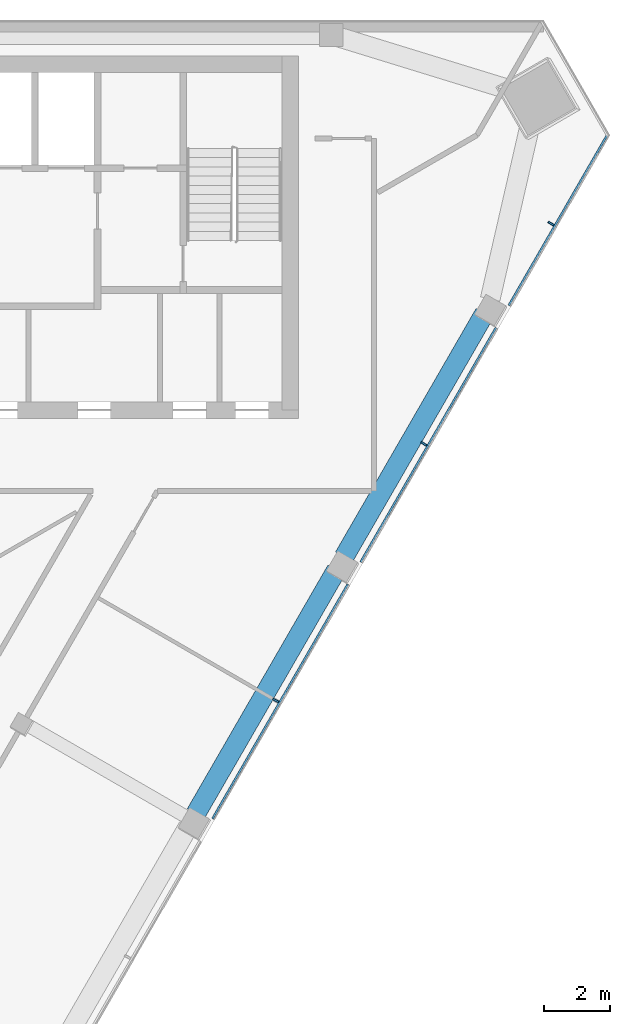
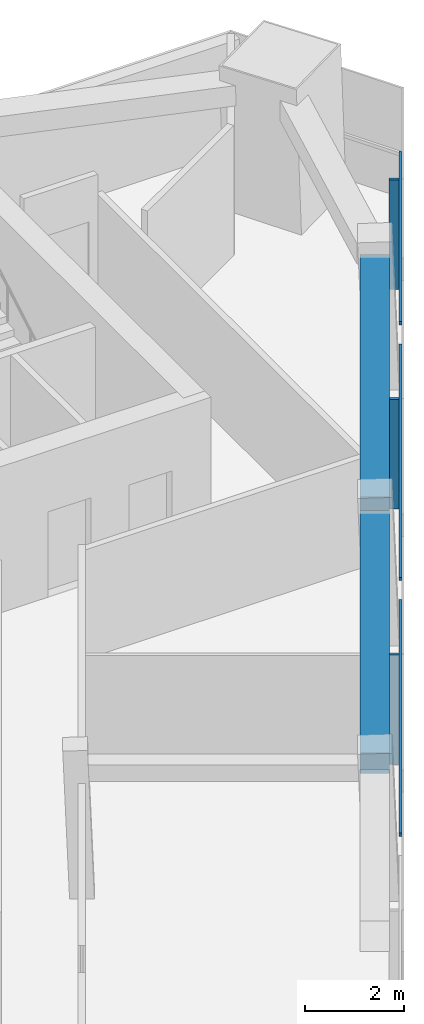
# One storey, part 4 of 9: 6 members, 2 beams, 1 element without a shape of its own.
"""IFC4 building model written with IfcOpenShell, lengths in metres."""

from ifc_helpers import new_model, si_unit, direction, frame, origin, origin_2d, place, context, subcontext, project, spatial, rectangle, extrude, material, layer, layer_set, material_profile, profile_set, type_object, element, aggregate, save


model = new_model("IFC4")

# Units and contexts
model_context = context("Model", 3, precision=1e-05, world=origin(), true_north=direction((0.0, 1.0)))
body_context = subcontext(model_context, "Body", "Model", "MODEL_VIEW")
ifc_project = project(units=[si_unit("LENGTHUNIT", "METRE"), si_unit("AREAUNIT", "SQUARE_METRE"), si_unit("VOLUMEUNIT", "CUBIC_METRE"), si_unit("PLANEANGLEUNIT", "RADIAN"), si_unit("MASSUNIT", "GRAM", prefix="KILO")], contexts=[model_context])

# Site, building, storey
site_placement = place(None, origin())
site = spatial("IfcSite", under=ifc_project, at=site_placement, CompositionType="ELEMENT")
building_placement = place(site_placement, origin())
building = spatial("IfcBuilding", under=site, at=building_placement, Name="Altiplano Prism Tower", CompositionType="ELEMENT")
storey_placement = place(building_placement, frame((0.0, 0.0, 305.800048828125)))
storey = spatial("IfcBuildingStorey", under=building, at=storey_placement, Name="L79", CompositionType="ELEMENT", Elevation=305.800048828125)

# Curtain wall, members
ifc_material_1 = material(Name="Aluminium and glass", Category="aluminium")
ifc_layer = layer(ifc_material_1, 0.303955078125)
ifc_layer_set = layer_set([ifc_layer], Name="Aluminium and glass")
curtain_wall_type = type_object("IfcCurtainWallType", Name="CW2 lounge-band unitised glazing", PredefinedType="NOTDEFINED", material=ifc_layer_set)
curtain_wall_placement = place(storey_placement, origin())
curtain_wall = element("IfcCurtainWall", 1, at=curtain_wall_placement, inside=storey, type_object=curtain_wall_type, Name="CW2 curtain wall south-east face L79", PredefinedType="NOTDEFINED")
ifc_material_2 = material(Name="Aluminium", Category="aluminium")
ifc_material_profile_1 = material_profile(ifc_material_2, rectangle(XDim=0.199951171875, YDim=0.06005859375, at=origin_2d()), Name="CW2 mullion 60 x 200")
ifc_profile_set_1 = profile_set([ifc_material_profile_1], Name="Aluminium")
member_type_1 = type_object("IfcMemberType", Name="CW2 mullion 60 x 200", PredefinedType="MULLION", material=ifc_profile_set_1)
member_1_placement = place(storey_placement, frame((96.815185546875, 84.33154296875, 0.0), z_axis=(0.0, 0.0, 1.0), x_axis=(-0.866025399334, 0.500000007709, 0.0)))
member_1 = element("IfcMember", 2, at=member_1_placement, type_object=member_type_1, Name="CW2 mullion", PredefinedType="MULLION", context=body_context, shape_type="SweptSolid", body=[
    extrude(rectangle(XDim=0.199951171875, YDim=0.06005859375, at=origin_2d()), origin(), (0.0, 0.0, 1.0), 2.699951171875),
])
member_2_placement = place(storey_placement, frame((101.315185546875, 92.1259765625, 0.0), z_axis=(0.0, 0.0, 1.0), x_axis=(-0.866025399334, 0.500000007709, 0.0)))
member_2 = element("IfcMember", 3, at=member_2_placement, type_object=member_type_1, Name="CW2 mullion", PredefinedType="MULLION", context=body_context, shape_type="SweptSolid", body=[
    extrude(rectangle(XDim=0.199951171875, YDim=0.06005859375, at=origin_2d()), origin(), (0.0, 0.0, 1.0), 2.699951171875),
])
member_3_placement = place(storey_placement, frame((105.17626953125, 98.8134765625, 0.0), z_axis=(0.0, 0.0, 1.0), x_axis=(-0.866025399334, 0.500000007709, 0.0)))
member_3 = element("IfcMember", 4, at=member_3_placement, type_object=member_type_1, Name="CW2 mullion", PredefinedType="MULLION", context=body_context, shape_type="SweptSolid", body=[
    extrude(rectangle(XDim=0.199951171875, YDim=0.06005859375, at=origin_2d()), origin(), (0.0, 0.0, 1.0), 2.699951171875),
])
ifc_material_profile_2 = material_profile(ifc_material_2, rectangle(XDim=0.06005859375, YDim=0.080078125, at=origin_2d()), Name="CW2 transom 80 x 60")
ifc_profile_set_2 = profile_set([ifc_material_profile_2], Name="Aluminium")
member_type_2 = type_object("IfcMemberType", Name="CW2 transom 80 x 60", PredefinedType="USERDEFINED", material=ifc_profile_set_2)
member_4_placement = place(storey_placement, frame((94.892578125, 80.741455078125, 1.099853515625), z_axis=(0.499991554064, 0.866030279993, 0.0), x_axis=(-0.866030279993, 0.499991554064, 0.0)))
member_4 = element("IfcMember", 5, at=member_4_placement, type_object=member_type_2, Name="CW2 transom", ObjectType="TRANSOM", PredefinedType="USERDEFINED", context=body_context, shape_type="SweptSolid", body=[
    extrude(rectangle(XDim=0.06005859375, YDim=0.080078125, at=origin_2d()), origin(), (0.0, 0.0, 1.0), 8.219970703125),
])
member_5_placement = place(storey_placement, frame((99.392578125, 88.535888671875, 1.099853515625), z_axis=(0.500004415232, 0.866022854634, 0.0), x_axis=(-0.866022854634, 0.500004415232, 0.0)))
member_5 = element("IfcMember", 6, at=member_5_placement, type_object=member_type_2, Name="CW2 transom", ObjectType="TRANSOM", PredefinedType="USERDEFINED", context=body_context, shape_type="SweptSolid", body=[
    extrude(rectangle(XDim=0.06005859375, YDim=0.080078125, at=origin_2d()), origin(), (0.0, 0.0, 1.0), 8.2197265625),
])
member_6_placement = place(storey_placement, frame((103.892578125, 96.330078125, 1.099853515625), z_axis=(0.499989486807, 0.866031473494, 0.0), x_axis=(-0.866031473494, 0.499989486807, 0.0)))
member_6 = element("IfcMember", 7, at=member_6_placement, type_object=member_type_2, Name="CW2 transom", ObjectType="TRANSOM", PredefinedType="USERDEFINED", context=body_context, shape_type="SweptSolid", body=[
    extrude(rectangle(XDim=0.06005859375, YDim=0.080078125, at=origin_2d()), origin(), (0.0, 0.0, 1.0), 6.014892578125),
])
aggregate(curtain_wall, [member_1, member_4, member_2, member_5, member_3, member_6])

# Beams
ifc_material_3 = material(Name="Concrete C60/75", Category="concrete")
ifc_material_profile_3 = material_profile(ifc_material_3, rectangle(XDim=0.60009765625, YDim=0.5, at=origin_2d()), Name="Edge beam 600x500")
ifc_profile_set_3 = profile_set([ifc_material_profile_3], Name="Concrete C60/75")
beam_type = type_object("IfcBeamType", Name="Edge beam 600x500", PredefinedType="SPANDREL", material=ifc_profile_set_3)
for number, where, z_axis, x_axis, name in (
    (8, (94.386962890625, 80.895263671875, 2.949951171875), (0.500007039007, 0.866021339774, 0.0), (-0.866021339774, 0.500007039007, 0.0), "Edge beam P22-P23 L80"),
    (9, (98.886962890625, 88.689453125, 2.949951171875), (0.499994660107, 0.866028486751, 0.0), (-0.866028486751, 0.499994660107, 0.0), "Edge beam P23-P24 L80"),
):
    element("IfcBeam", number, at=place(storey_placement, frame(where, z_axis=z_axis, x_axis=x_axis)), inside=storey, type_object=beam_type, Name=name, PredefinedType="SPANDREL", context=body_context, shape_type="SweptSolid", body=[
        extrude(rectangle(XDim=0.60009765625, YDim=0.5, at=origin_2d()), origin(), (0.0, 0.0, 1.0), 8.5400390625),
    ])

save(model, "model.ifc")
